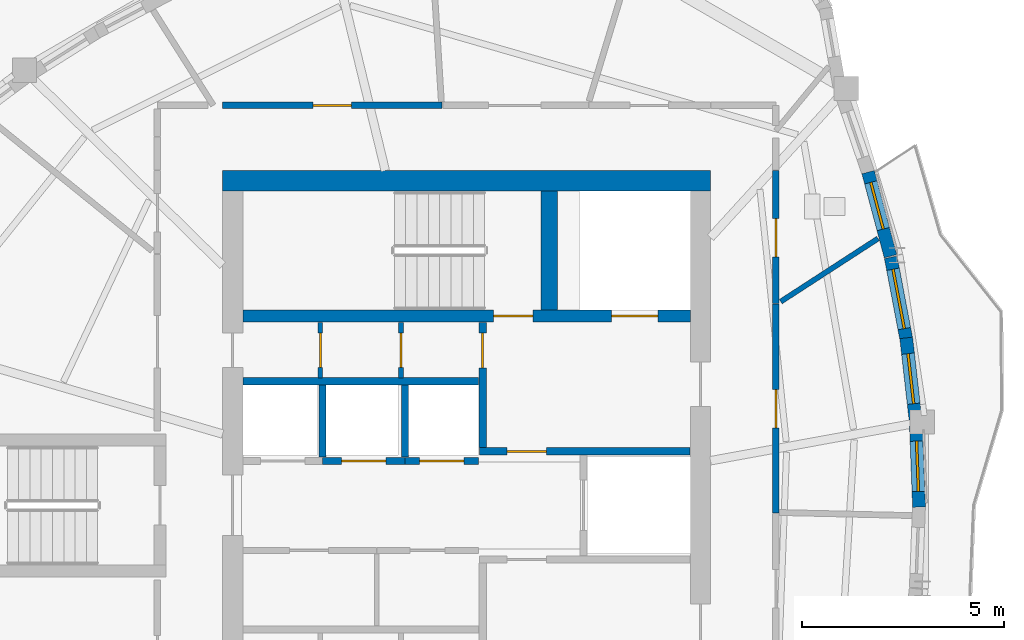
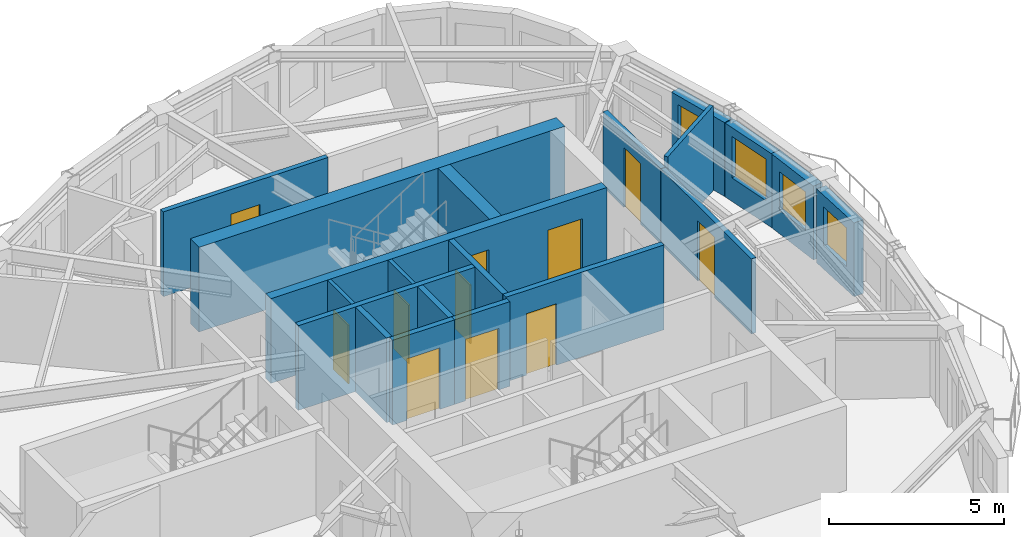
# One storey, part 6 of 11: 20 walls, 11 doors, 4 windows, 15 openings.
"""IFC4 building model written with IfcOpenShell, lengths in metres."""

import ifcopenshell
import ifcopenshell.guid

model = None  # the IFC model being written
_history = None  # IfcOwnerHistory: only IFC2X3 demands one
_inside = {}  # id of a spatial element -> (the spatial element, [elements in it])
_under = {}  # id of a project, library or spatial element -> (it, [spatial elements below it])
_declared = {}  # id of a project -> (the project, [libraries it declares])
_typed = {}  # id of a type object -> (the type object, [elements of that type])
_made_of = {}  # id of a material, layer set ... -> (it, [elements and type objects made of it])


def new_model(schema):
    """Start an empty IFC model of exactly this schema.

    Asked for "IFC4X3", IfcOpenShell would pick the latest addendum, in which some entities
    have other attributes; the version numbers below select the first issue.
    IFC2X3 requires an IfcOwnerHistory on every rooted entity: one is made here for all.
    """
    global model, _history
    if schema == "IFC4X3":
        model = ifcopenshell.file(schema_version=(4, 3, 0, 0))
    else:
        model = ifcopenshell.file(schema=schema)
    _inside.clear()
    _under.clear()
    _declared.clear()
    _typed.clear()
    _made_of.clear()
    _history = None
    if model.schema == "IFC2X3":
        org = make("IfcOrganization", Name="unknown")
        user = make(
            "IfcPersonAndOrganization",
            ThePerson=make("IfcPerson", FamilyName="unknown"),
            TheOrganization=org,
        )
        app = make(
            "IfcApplication",
            ApplicationDeveloper=org,
            Version="unknown",
            ApplicationFullName="unknown",
            ApplicationIdentifier="unknown",
        )
        _history = make(
            "IfcOwnerHistory",
            OwningUser=user,
            OwningApplication=app,
            ChangeAction="ADDED",
            CreationDate=0,
        )
    return model


def make(cls, **values):
    """One entity of the class cls with the attributes given. An attribute that is None is left unset."""
    return model.create_entity(
        cls, **{name: value for name, value in values.items() if value is not None}
    )


def rooted(cls, **values):
    """An entity with a GlobalId (a new one), such as an element, a storey or a relation."""
    return make(cls, GlobalId=ifcopenshell.guid.new(), OwnerHistory=_history, **values)


def si_unit(unit_type, name, prefix=None):
    """IfcSIUnit, for example si_unit("LENGTHUNIT", "METRE", prefix="MILLI")."""
    return make("IfcSIUnit", UnitType=unit_type, Prefix=prefix, Name=name)


def assignment(units):
    """IfcUnitAssignment: the units of a project."""
    return None if units is None else make("IfcUnitAssignment", Units=units)


def point(xyz):
    """IfcCartesianPoint."""
    return None if xyz is None else make("IfcCartesianPoint", Coordinates=xyz)


def direction(xyz):
    """IfcDirection."""
    return None if xyz is None else make("IfcDirection", DirectionRatios=xyz)


def frame(location, z_axis=None, x_axis=None):
    """IfcAxis2Placement3D, a coordinate frame: its origin and axes. An axis left out is left unset."""
    return make(
        "IfcAxis2Placement3D",
        Location=point(location),
        Axis=direction(z_axis),
        RefDirection=direction(x_axis),
    )


def frame_2d(location, x_axis=None):
    """IfcAxis2Placement2D, a coordinate frame in the plane: its origin and x axis."""
    return make(
        "IfcAxis2Placement2D", Location=point(location), RefDirection=direction(x_axis)
    )


def origin():
    """The frame at (0, 0, 0) with its axes left unset."""
    return frame((0.0, 0.0, 0.0))


def place(relative_to, where):
    """IfcLocalPlacement: puts the frame where relative to a parent placement (None: the world)."""
    return make(
        "IfcLocalPlacement", PlacementRelTo=relative_to, RelativePlacement=where
    )


def context(
    kind, dimensions, precision=None, world=None, true_north=None, identifier=None
):
    """IfcGeometricRepresentationContext, for example the 3D "Model" context."""
    return make(
        "IfcGeometricRepresentationContext",
        ContextIdentifier=identifier,
        ContextType=kind,
        CoordinateSpaceDimension=dimensions,
        Precision=precision,
        WorldCoordinateSystem=world,
        TrueNorth=true_north,
    )


def subcontext(parent, identifier, kind, view, scale=None):
    """IfcGeometricRepresentationSubContext, for example "Body" below "Model"."""
    return make(
        "IfcGeometricRepresentationSubContext",
        ContextIdentifier=identifier,
        ContextType=kind,
        ParentContext=parent,
        TargetScale=scale,
        TargetView=view,
    )


def project(units=None, contexts=None):
    """IfcProject with its units and contexts."""
    return rooted(
        "IfcProject",
        Name="project",
        RepresentationContexts=contexts,
        UnitsInContext=assignment(units),
    )


def spatial(cls, under=None, at=None, **own):
    """A site, building, storey or space (cls), placed at a placement, below another one or the project."""
    s = rooted(cls, ObjectPlacement=at, **own)
    if under is not None:
        _under.setdefault(under.id(), (under, []))[1].append(s)
    return s


def profile(cls, at=None, kind="AREA", **sizes):
    """A parametric profile (cls). Its sizes go by their IFC names, for example OverallWidth=200.0."""
    return make(cls, ProfileType=kind, Position=at, **sizes)


def rectangle(**sizes):
    """IfcRectangleProfileDef."""
    return profile("IfcRectangleProfileDef", **sizes)


def extrude(swept, where, along, depth):
    """IfcExtrudedAreaSolid: the profile swept, set in the frame where, extruded along a direction by depth."""
    return make(
        "IfcExtrudedAreaSolid",
        SweptArea=swept,
        Position=where,
        ExtrudedDirection=direction(along),
        Depth=depth,
    )


def shape(context_of_items, identifier, shape_type, items):
    """IfcShapeRepresentation: the items that make up one representation, for example the "Body"."""
    return make(
        "IfcShapeRepresentation",
        ContextOfItems=context_of_items,
        RepresentationIdentifier=identifier,
        RepresentationType=shape_type,
        Items=items,
    )


def source(mapping_origin, context_of_items, identifier, shape_type, items):
    """IfcRepresentationMap: a shape defined once, which mapped items show again and again."""
    return make(
        "IfcRepresentationMap",
        MappingOrigin=mapping_origin,
        MappedRepresentation=shape(context_of_items, identifier, shape_type, items),
    )


def transform(
    local_origin,
    x_axis=None,
    y_axis=None,
    z_axis=None,
    scale=None,
    scale2=None,
    scale3=None,
    uniform=True,
):
    """IfcCartesianTransformationOperator3D, or its non-uniform kind. x_axis, y_axis, z_axis: its Axis1, 2, 3."""
    if uniform:
        return make(
            "IfcCartesianTransformationOperator3D",
            Axis1=direction(x_axis),
            Axis2=direction(y_axis),
            LocalOrigin=point(local_origin),
            Scale=scale,
            Axis3=direction(z_axis),
        )
    return make(
        "IfcCartesianTransformationOperator3DnonUniform",
        Axis1=direction(x_axis),
        Axis2=direction(y_axis),
        LocalOrigin=point(local_origin),
        Scale=scale,
        Axis3=direction(z_axis),
        Scale2=scale2,
        Scale3=scale3,
    )


def mapped(mapping_source, mapping_target):
    """IfcMappedItem: shows the shape of a source again, moved by a transform."""
    return make(
        "IfcMappedItem", MappingSource=mapping_source, MappingTarget=mapping_target
    )


def material(Name=None, Category=None):
    """IfcMaterial."""
    return make("IfcMaterial", Name=Name, Category=Category)


def layer(
    of_material, thickness, ventilated=None, Name=None, Category=None, Priority=None
):
    """IfcMaterialLayer: one layer of a wall or slab, of a material (None: an air gap)."""
    return make(
        "IfcMaterialLayer",
        Material=of_material,
        LayerThickness=thickness,
        IsVentilated=ventilated,
        Name=Name,
        Category=Category,
        Priority=Priority,
    )


def layer_set(layers, Name=None):
    """IfcMaterialLayerSet."""
    return make("IfcMaterialLayerSet", MaterialLayers=layers, LayerSetName=Name)


def made_of(thing, what):
    """Note that an element or type object is made of a material, layer set ...; save() writes the relation."""
    if what is not None:
        _made_of.setdefault(what.id(), (what, []))[1].append(thing)
    return thing


def type_object(cls, material=None, **own):
    """A type object (cls), such as IfcWallType, which elements share."""
    return made_of(rooted(cls, **own), material)


def element(
    cls,
    number,
    at=None,
    inside=None,
    cuts=None,
    type_object=None,
    material=None,
    context=None,
    identifier="Body",
    shape_type=None,
    held_by="IfcProductDefinitionShape",
    body=None,
    shapes=None,
    **own,
):
    """One element of the class cls, such as IfcWall. Its Tag is "e" and its number.

    at: its placement. inside: the storey or other place that contains it. cuts: it is an
    opening in that element (IfcRelVoidsElement). A single representation is given by context,
    identifier, shape_type and body (its items); several are given by shapes. held_by: the class
    of the entity that holds the representations. save() writes the other relations.
    """
    e = rooted(cls, Tag="e%d" % number, ObjectPlacement=at, **own)
    if body is not None:
        shapes = [shape(context, identifier, shape_type, body)]
    if shapes is not None:
        e.Representation = make(held_by, Representations=shapes)
    if inside is not None:
        _inside.setdefault(inside.id(), (inside, []))[1].append(e)
    if cuts is not None:
        rooted(
            "IfcRelVoidsElement", RelatingBuildingElement=cuts, RelatedOpeningElement=e
        )
    if type_object is not None:
        _typed.setdefault(type_object.id(), (type_object, []))[1].append(e)
    return made_of(e, material)


def fill(opening, filler):
    """IfcRelFillsElement: the door or window that sits in an opening."""
    return rooted(
        "IfcRelFillsElement",
        RelatingOpeningElement=opening,
        RelatedBuildingElement=filler,
    )


def aggregate(whole, parts):
    """IfcRelAggregates: a whole, such as a stair, and the parts it consists of."""
    return rooted("IfcRelAggregates", RelatingObject=whole, RelatedObjects=parts)


def save(model, path):
    """Write the relations noted so far, then the file.

    IfcRelAggregates (storeys below a building ...), IfcRelContainedInSpatialStructure (elements
    in a storey), IfcRelDefinesByType, IfcRelAssociatesMaterial and IfcRelDeclares: one each for
    every whole, place, type object, material and project.
    """
    for whole, parts in _under.values():
        aggregate(whole, parts)
    for where, things in _inside.values():
        rooted(
            "IfcRelContainedInSpatialStructure",
            RelatedElements=things,
            RelatingStructure=where,
        )
    for kind, things in _typed.values():
        rooted("IfcRelDefinesByType", RelatedObjects=things, RelatingType=kind)
    for what, things in _made_of.values():
        rooted("IfcRelAssociatesMaterial", RelatedObjects=things, RelatingMaterial=what)
    for by, libraries in _declared.values():
        rooted("IfcRelDeclares", RelatingContext=by, RelatedDefinitions=libraries)
    model.write(path)


model = new_model("IFC4")

# Units and contexts
model_context = context("Model", 3, precision=1e-05, world=origin(), true_north=direction((0.0, 1.0)))
body_context = subcontext(model_context, "Body", "Model", "MODEL_VIEW")
ifc_project = project(units=[si_unit("LENGTHUNIT", "METRE"), si_unit("AREAUNIT", "SQUARE_METRE"), si_unit("VOLUMEUNIT", "CUBIC_METRE"), si_unit("PLANEANGLEUNIT", "RADIAN"), si_unit("MASSUNIT", "GRAM", prefix="KILO")], contexts=[model_context])

# Site, building, storey
site_placement = place(None, origin())
site = spatial("IfcSite", under=ifc_project, at=site_placement, CompositionType="ELEMENT")
building_placement = place(site_placement, origin())
building = spatial("IfcBuilding", under=site, at=building_placement, Name="Qafzar Sky-Pleat Residences", CompositionType="ELEMENT")
storey_placement = place(building_placement, frame((0.0, 0.0, 243.60009765625)))
storey = spatial("IfcBuildingStorey", under=building, at=storey_placement, Name="L73", CompositionType="ELEMENT", Elevation=243.60009765625)

# Wall, opening, door
ifc_material_1 = material(Name="Acoustic gypsum plasterboard partition", Category="gypsum")
ifc_layer_1 = layer(ifc_material_1, 0.159912109375)
ifc_layer_set_1 = layer_set([ifc_layer_1], Name="Acoustic gypsum plasterboard partition")
wall_type_1 = type_object("IfcWallType", Name="PART-COR-160", PredefinedType="PARTITIONING", material=ifc_layer_set_1)
wall_1_placement = place(storey_placement, frame((24.300048828125, 35.919921875, 0.0), z_axis=(0.0, 0.0, 1.0), x_axis=(1.0, 0.0, 0.0)))
wall_1 = element("IfcWall", 1, at=wall_1_placement, inside=storey, type_object=wall_type_1, Name="L73 Partition Wall PART-L73-PW-001", PredefinedType="PARTITIONING", context=body_context, shape_type="SweptSolid", body=[
    extrude(rectangle(XDim=5.446044921875, YDim=0.159912109375, at=frame_2d((2.72314453125, 0.0))), origin(), (0.0, 0.0, 1.0), 2.9599609375),
])
opening_1_placement = place(wall_1_placement, frame((2.235595703125, 0.0, 0.0)))
opening_1 = element("IfcOpeningElement", 2, at=opening_1_placement, cuts=wall_1, Name="Opening ID-06", PredefinedType="OPENING", context=body_context, shape_type="SweptSolid", body=[
    extrude(rectangle(XDim=0.9599609375, YDim=2.10009765625, at=frame_2d((0.47998046875, 1.050048828125))), frame((0.0, 0.08984375, 0.0), z_axis=(0.0, -1.0, 0.0), x_axis=(1.0, 0.0, 0.0)), (0.0, 0.0, 1.0), 0.179931640625),
])
ifc_material_2 = material(Name="Timber-faced fire door", Category="wood")
door_type_1 = type_object("IfcDoorType", Name="DR-STD-960", OperationType="NOTDEFINED", PredefinedType="DOOR", material=ifc_material_2)
shared_shape_1 = source(origin(), body_context, "Body", "SweptSolid", [
    extrude(rectangle(XDim=0.9599609375, YDim=2.10009765625, at=frame_2d((0.47998046875, 1.050048828125))), frame((0.0, 0.02490234375, 0.0), z_axis=(0.0, -1.0, 0.0), x_axis=(1.0, 0.0, 0.0)), (0.0, 0.0, 1.0), 0.050048828125),
])
door_1_placement = place(opening_1_placement, origin())
door_1 = element("IfcDoor", 3, at=door_1_placement, inside=storey, type_object=door_type_1, Name="L73 Scholar Co-Working Workspace Door", OperationType="SINGLE_SWING_RIGHT", OverallHeight=2.10009765625, OverallWidth=0.9599609375, PredefinedType="DOOR", context=body_context, shape_type="MappedRepresentation", body=[
    mapped(shared_shape_1, transform((0.0, 0.0, 0.0), x_axis=(1.0, 0.0, 0.0), y_axis=(0.0, 1.0, 0.0), z_axis=(0.0, 0.0, 1.0), scale=1.0)),
])
fill(opening_1, door_1)

wall_2_placement = place(storey_placement, frame((38.02001953125, 30.991943359375, 0.0), z_axis=(0.0, 0.0, 1.0), x_axis=(0.0, -1.0, 0.0)))
wall_2 = element("IfcWall", 4, at=wall_2_placement, inside=storey, type_object=wall_type_1, Name="L73 Partition Wall PART-L73-PW-002", PredefinedType="PARTITIONING", context=body_context, shape_type="SweptSolid", body=[
    extrude(rectangle(XDim=5.182861328125, YDim=0.159912109375, at=frame_2d((2.59130859375, 0.0))), origin(), (0.0, 0.0, 1.0), 2.6279296875),
])
opening_2_placement = place(wall_2_placement, frame((2.113037109375, 0.0, 0.0)))
opening_2 = element("IfcOpeningElement", 5, at=opening_2_placement, cuts=wall_2, Name="Opening ID-06", PredefinedType="OPENING", context=body_context, shape_type="SweptSolid", body=[
    extrude(rectangle(XDim=0.9599609375, YDim=2.10009765625, at=frame_2d((0.47998046875, 1.050048828125))), frame((0.0, 0.08984375, 0.0), z_axis=(0.0, -1.0, 0.0), x_axis=(1.0, 0.0, 0.0)), (0.0, 0.0, 1.0), 0.179931640625),
])
door_2_placement = place(opening_2_placement, origin())
door_2 = element("IfcDoor", 6, at=door_2_placement, inside=storey, type_object=door_type_1, Name="L73 Reading Library Door", OperationType="SINGLE_SWING_LEFT", OverallHeight=2.10009765625, OverallWidth=0.9599609375, PredefinedType="DOOR", context=body_context, shape_type="MappedRepresentation", body=[
    mapped(shared_shape_1, transform((0.0, 0.0, 0.0), x_axis=(1.0, 0.0, 0.0), y_axis=(0.0, 1.0, 0.0), z_axis=(0.0, 0.0, 1.0), scale=1.0)),
])
fill(opening_2, door_2)

wall_3_placement = place(storey_placement, frame((38.02001953125, 34.300048828125, 0.0), z_axis=(0.0, 0.0, 1.0), x_axis=(0.0, -1.0, 0.0)))
wall_3 = element("IfcWall", 7, at=wall_3_placement, inside=storey, type_object=wall_type_1, Name="L73 Partition Wall PART-L73-PW-007", PredefinedType="PARTITIONING", context=body_context, shape_type="SweptSolid", body=[
    extrude(rectangle(XDim=3.29296875, YDim=0.159912109375, at=frame_2d((1.646484375, 0.0))), origin(), (0.0, 0.0, 1.0), 2.6279296875),
])
opening_3_placement = place(wall_3_placement, frame((1.18798828125, 0.0, 0.0)))
opening_3 = element("IfcOpeningElement", 8, at=opening_3_placement, cuts=wall_3, Name="Opening ID-08", PredefinedType="OPENING", context=body_context, shape_type="SweptSolid", body=[
    extrude(rectangle(XDim=0.949951171875, YDim=2.10009765625, at=frame_2d((0.47509765625, 1.050048828125))), frame((0.0, 0.08984375, 0.0), z_axis=(0.0, -1.0, 0.0), x_axis=(1.0, 0.0, 0.0)), (0.0, 0.0, 1.0), 0.179931640625),
])
door_type_2 = type_object("IfcDoorType", Name="DR-AWC-950", OperationType="NOTDEFINED", PredefinedType="DOOR", material=ifc_material_2)
shared_shape_2 = source(origin(), body_context, "Body", "SweptSolid", [
    extrude(rectangle(XDim=0.949951171875, YDim=2.10009765625, at=frame_2d((0.47509765625, 1.050048828125))), frame((0.0, 0.02490234375, 0.0), z_axis=(0.0, -1.0, 0.0), x_axis=(1.0, 0.0, 0.0)), (0.0, 0.0, 1.0), 0.050048828125),
])
door_3_placement = place(opening_3_placement, origin())
door_3 = element("IfcDoor", 9, at=door_3_placement, inside=storey, type_object=door_type_2, Name="L73 Accessible Shared Washroom Door", OperationType="SINGLE_SWING_LEFT", OverallHeight=2.10009765625, OverallWidth=0.949951171875, PredefinedType="DOOR", context=body_context, shape_type="MappedRepresentation", body=[
    mapped(shared_shape_2, transform((0.0, 0.0, 0.0), x_axis=(1.0, 0.0, 0.0), y_axis=(0.0, 1.0, 0.0), z_axis=(0.0, 0.0, 1.0), scale=1.0)),
])
fill(opening_3, door_3)

ifc_material_3 = material(Name="Concrete blockwork partition", Category="masonry")
ifc_layer_2 = layer(ifc_material_3, 0.179931640625)
ifc_layer_set_2 = layer_set([ifc_layer_2], Name="Concrete blockwork partition")
wall_type_2 = type_object("IfcWallType", Name="PART-SHAFT-180", PredefinedType="PARTITIONING", material=ifc_layer_set_2)
wall_4_placement = place(storey_placement, frame((30.75, 27.429931640625, 0.0), z_axis=(0.0, 0.0, 1.0), x_axis=(0.0, 1.0, 0.0)))
wall_4 = element("IfcWall", 10, at=wall_4_placement, inside=storey, type_object=wall_type_2, Name="L73 Partition Wall PART-L73-FFL2-W", PredefinedType="PARTITIONING", context=body_context, shape_type="SweptSolid", body=[
    extrude(rectangle(XDim=3.110107421875, YDim=0.179931640625, at=frame_2d((1.55517578125, 0.0))), origin(), (0.0, 0.0, 1.0), 2.9599609375),
])
opening_4_placement = place(wall_4_placement, frame((1.97998046875, 0.0, 0.0)))
opening_4 = element("IfcOpeningElement", 11, at=opening_4_placement, cuts=wall_4, Name="Opening ID-09", PredefinedType="OPENING", context=body_context, shape_type="SweptSolid", body=[
    extrude(rectangle(XDim=0.860107421875, YDim=2.050048828125, at=frame_2d((0.43017578125, 1.02490234375))), frame((0.0, 0.10009765625, 0.0), z_axis=(0.0, -1.0, 0.0), x_axis=(1.0, 0.0, 0.0)), (0.0, 0.0, 1.0), 0.199951171875),
])
door_type_3 = type_object("IfcDoorType", Name="DR-SVC-860", OperationType="NOTDEFINED", PredefinedType="DOOR", material=ifc_material_2)
shared_shape_3 = source(origin(), body_context, "Body", "SweptSolid", [
    extrude(rectangle(XDim=0.860107421875, YDim=2.050048828125, at=frame_2d((0.43017578125, 1.02490234375))), frame((0.0, 0.02490234375, 0.0), z_axis=(0.0, -1.0, 0.0), x_axis=(1.0, 0.0, 0.0)), (0.0, 0.0, 1.0), 0.050048828125),
])
door_4_placement = place(opening_4_placement, origin())
door_4 = element("IfcDoor", 12, at=door_4_placement, inside=storey, type_object=door_type_3, Name="L73 North Core Cupboard Door", OperationType="SINGLE_SWING_RIGHT", OverallHeight=2.050048828125, OverallWidth=0.860107421875, PredefinedType="DOOR", context=body_context, shape_type="MappedRepresentation", body=[
    mapped(shared_shape_3, transform((0.0, 0.0, 0.0), x_axis=(1.0, 0.0, 0.0), y_axis=(0.0, 1.0, 0.0), z_axis=(0.0, 0.0, 1.0), scale=1.0)),
])
fill(opening_4, door_4)

wall_5_placement = place(storey_placement, frame((30.669921875, 27.340087890625, 0.0), z_axis=(0.0, 0.0, 1.0), x_axis=(1.0, 0.0, 0.0)))
wall_5 = element("IfcWall", 13, at=wall_5_placement, inside=storey, type_object=wall_type_2, Name="L73 Partition Wall PART-L73-FFL2-S", PredefinedType="PARTITIONING", context=body_context, shape_type="SweptSolid", body=[
    extrude(rectangle(XDim=5.219970703125, YDim=0.179931640625, at=frame_2d((2.60986328125, 0.0))), origin(), (0.0, 0.0, 1.0), 2.9599609375),
])
opening_5_placement = place(wall_5_placement, frame((0.679931640625, 0.0, 0.0)))
opening_5 = element("IfcOpeningElement", 14, at=opening_5_placement, cuts=wall_5, Name="Opening ID-01", PredefinedType="OPENING", context=body_context, shape_type="SweptSolid", body=[
    extrude(rectangle(XDim=0.97998046875, YDim=2.14990234375, at=frame_2d((0.489990234375, 1.074951171875))), frame((0.0, 0.10009765625, 0.0), z_axis=(0.0, -1.0, 0.0), x_axis=(1.0, 0.0, 0.0)), (0.0, 0.0, 1.0), 0.199951171875),
])
door_type_4 = type_object("IfcDoorType", Name="DR-STAIR-980", OperationType="NOTDEFINED", PredefinedType="DOOR", material=ifc_material_2)
shared_shape_4 = source(origin(), body_context, "Body", "SweptSolid", [
    extrude(rectangle(XDim=0.97998046875, YDim=2.14990234375, at=frame_2d((0.489990234375, 1.074951171875))), frame((0.0, 0.02490234375, 0.0), z_axis=(0.0, -1.0, 0.0), x_axis=(1.0, 0.0, 0.0)), (0.0, 0.0, 1.0), 0.050048828125),
])
door_5_placement = place(opening_5_placement, origin())
door_5 = element("IfcDoor", 15, at=door_5_placement, inside=storey, type_object=door_type_4, Name="L73 Lift Lobby to North Firefighting Lobby Door", OperationType="SINGLE_SWING_LEFT", OverallHeight=2.14990234375, OverallWidth=0.97998046875, PredefinedType="DOOR", context=body_context, shape_type="MappedRepresentation", body=[
    mapped(shared_shape_4, transform((0.0, 0.0, 0.0), x_axis=(1.0, 0.0, 0.0), y_axis=(0.0, 1.0, 0.0), z_axis=(0.0, 0.0, 1.0), scale=1.0)),
])
fill(opening_5, door_5)

# Wall
wall_6_placement = place(storey_placement, frame((24.81005859375, 29.080078125, 0.0), z_axis=(0.0, 0.0, 1.0), x_axis=(1.0, 0.0, 0.0)))
element("IfcWall", 16, at=wall_6_placement, inside=storey, type_object=wall_type_2, Name="L73 Partition Wall PART-L73-P46-N", PredefinedType="PARTITIONING", context=body_context, shape_type="SweptSolid", body=[
    extrude(rectangle(XDim=5.83984375, YDim=0.179931640625, at=frame_2d((2.919921875, 0.0))), origin(), (0.0, 0.0, 1.0), 2.9599609375),
])

# Wall, opening, door
wall_7_placement = place(storey_placement, frame((26.77490234375, 27.10009765625, 0.0), z_axis=(0.0, 0.0, 1.0), x_axis=(1.0, 0.0, 0.0)))
wall_7 = element("IfcWall", 17, at=wall_7_placement, inside=storey, type_object=wall_type_2, Name="L73 Partition Wall PART-L73-P5-S", PredefinedType="PARTITIONING", context=body_context, shape_type="SweptSolid", body=[
    extrude(rectangle(XDim=2.050048828125, YDim=0.179931640625, at=frame_2d((1.02490234375, 0.0))), origin(), (0.0, 0.0, 1.0), 2.9599609375),
])
opening_6_placement = place(wall_7_placement, frame((0.47509765625, 0.0, 0.0)))
opening_6 = element("IfcOpeningElement", 18, at=opening_6_placement, cuts=wall_7, Name="Opening LD-01", PredefinedType="OPENING", context=body_context, shape_type="SweptSolid", body=[
    extrude(rectangle(XDim=1.10009765625, YDim=2.14990234375, at=frame_2d((0.550048828125, 1.074951171875))), frame((0.0, 0.10009765625, 0.0), z_axis=(0.0, -1.0, 0.0), x_axis=(1.0, 0.0, 0.0)), (0.0, 0.0, 1.0), 0.199951171875),
])
ifc_material_4 = material(Name="Stainless steel sliding landing door", Category="steel")
door_type_5 = type_object("IfcDoorType", Name="DR-LIFT-P", OperationType="DOUBLE_DOOR_SLIDING", PredefinedType="DOOR", material=ifc_material_4)
shared_shape_5 = source(origin(), body_context, "Body", "SweptSolid", [
    extrude(rectangle(XDim=1.10009765625, YDim=2.14990234375, at=frame_2d((0.550048828125, 1.074951171875))), frame((0.0, 0.02490234375, 0.0), z_axis=(0.0, -1.0, 0.0), x_axis=(1.0, 0.0, 0.0)), (0.0, 0.0, 1.0), 0.050048828125),
])
door_6_placement = place(opening_6_placement, origin())
door_6 = element("IfcDoor", 19, at=door_6_placement, inside=storey, type_object=door_type_5, Name="L73 Passenger Lift P5 Landing Door", OperationType="DOUBLE_DOOR_SLIDING", OverallHeight=2.14990234375, OverallWidth=1.10009765625, PredefinedType="DOOR", context=body_context, shape_type="MappedRepresentation", body=[
    mapped(shared_shape_5, transform((0.0, 0.0, 0.0), x_axis=(1.0, 0.0, 0.0), y_axis=(0.0, 1.0, 0.0), z_axis=(0.0, 0.0, 1.0), scale=1.0)),
])
fill(opening_6, door_6)

# Wall
wall_8_placement = place(storey_placement, frame((26.77490234375, 27.199951171875, 0.0), z_axis=(0.0, 0.0, 1.0), x_axis=(0.0, 1.0, 0.0)))
element("IfcWall", 20, at=wall_8_placement, inside=storey, type_object=wall_type_2, Name="L73 Partition Wall PART-L73-P46-DIV-1", PredefinedType="PARTITIONING", context=body_context, shape_type="SweptSolid", body=[
    extrude(rectangle(XDim=1.780029296875, YDim=0.179931640625, at=frame_2d((0.89013671875, 0.0))), origin(), (0.0, 0.0, 1.0), 2.9599609375),
])

# Wall, opening, door
wall_9_placement = place(storey_placement, frame((28.824951171875, 27.10009765625, 0.0), z_axis=(0.0, 0.0, 1.0), x_axis=(1.0, 0.0, 0.0)))
wall_9 = element("IfcWall", 21, at=wall_9_placement, inside=storey, type_object=wall_type_2, Name="L73 Partition Wall PART-L73-P6-S", PredefinedType="PARTITIONING", context=body_context, shape_type="SweptSolid", body=[
    extrude(rectangle(XDim=1.824951171875, YDim=0.179931640625, at=frame_2d((0.91259765625, 0.0))), origin(), (0.0, 0.0, 1.0), 2.9599609375),
])
opening_7_placement = place(wall_9_placement, frame((0.362548828125, 0.0, 0.0)))
opening_7 = element("IfcOpeningElement", 22, at=opening_7_placement, cuts=wall_9, Name="Opening LD-01", PredefinedType="OPENING", context=body_context, shape_type="SweptSolid", body=[
    extrude(rectangle(XDim=1.10009765625, YDim=2.14990234375, at=frame_2d((0.550048828125, 1.074951171875))), frame((0.0, 0.10009765625, 0.0), z_axis=(0.0, -1.0, 0.0), x_axis=(1.0, 0.0, 0.0)), (0.0, 0.0, 1.0), 0.199951171875),
])
door_7_placement = place(opening_7_placement, origin())
door_7 = element("IfcDoor", 23, at=door_7_placement, inside=storey, type_object=door_type_5, Name="L73 Passenger Lift P6 Landing Door", OperationType="DOUBLE_DOOR_SLIDING", OverallHeight=2.14990234375, OverallWidth=1.10009765625, PredefinedType="DOOR", context=body_context, shape_type="MappedRepresentation", body=[
    mapped(shared_shape_5, transform((0.0, 0.0, 0.0), x_axis=(1.0, 0.0, 0.0), y_axis=(0.0, 1.0, 0.0), z_axis=(0.0, 0.0, 1.0), scale=1.0)),
])
fill(opening_7, door_7)

# Wall
wall_10_placement = place(storey_placement, frame((28.824951171875, 27.199951171875, 0.0), z_axis=(0.0, 0.0, 1.0), x_axis=(0.0, 1.0, 0.0)))
element("IfcWall", 24, at=wall_10_placement, inside=storey, type_object=wall_type_2, Name="L73 Partition Wall PART-L73-P46-DIV-2", PredefinedType="PARTITIONING", context=body_context, shape_type="SweptSolid", body=[
    extrude(rectangle(XDim=1.780029296875, YDim=0.179931640625, at=frame_2d((0.89013671875, 0.0))), origin(), (0.0, 0.0, 1.0), 2.9599609375),
])

# Wall, opening, door
ifc_material_5 = material(Name="Gypsum plasterboard partition", Category="gypsum")
ifc_layer_3 = layer(ifc_material_5, 0.114990234375)
ifc_layer_set_3 = layer_set([ifc_layer_3], Name="Gypsum plasterboard partition")
wall_type_3 = type_object("IfcWallType", Name="PART-SVC-115", PredefinedType="PARTITIONING", material=ifc_layer_set_3)
wall_11_placement = place(storey_placement, frame((26.72509765625, 29.159912109375, 0.0), z_axis=(0.0, 0.0, 1.0), x_axis=(0.0, 1.0, 0.0)))
wall_11 = element("IfcWall", 25, at=wall_11_placement, inside=storey, type_object=wall_type_3, Name="L73 Partition Wall PART-L73-KC-NW-1", PredefinedType="PARTITIONING", context=body_context, shape_type="SweptSolid", body=[
    extrude(rectangle(XDim=1.380126953125, YDim=0.114990234375, at=frame_2d((0.68994140625, 0.0))), origin(), (0.0, 0.0, 1.0), 2.9599609375),
])
opening_8_placement = place(wall_11_placement, frame((0.260009765625, 0.0, 0.0)))
opening_8 = element("IfcOpeningElement", 26, at=opening_8_placement, cuts=wall_11, Name="Opening ID-09", PredefinedType="OPENING", context=body_context, shape_type="SweptSolid", body=[
    extrude(rectangle(XDim=0.860107421875, YDim=2.050048828125, at=frame_2d((0.43017578125, 1.02490234375))), frame((0.0, 0.0673828125, 0.0), z_axis=(0.0, -1.0, 0.0), x_axis=(1.0, 0.0, 0.0)), (0.0, 0.0, 1.0), 0.135009765625),
])
door_8_placement = place(opening_8_placement, origin())
door_8 = element("IfcDoor", 27, at=door_8_placement, inside=storey, type_object=door_type_3, Name="L73 Core North Cupboard 1 Door", OperationType="SINGLE_SWING_LEFT", OverallHeight=2.050048828125, OverallWidth=0.860107421875, PredefinedType="DOOR", context=body_context, shape_type="MappedRepresentation", body=[
    mapped(shared_shape_3, transform((0.0, 0.0, 0.0), x_axis=(1.0, 0.0, 0.0), y_axis=(0.0, 1.0, 0.0), z_axis=(0.0, 0.0, 1.0), scale=1.0)),
])
fill(opening_8, door_8)

wall_12_placement = place(storey_placement, frame((28.72509765625, 29.159912109375, 0.0), z_axis=(0.0, 0.0, 1.0), x_axis=(0.0, 1.0, 0.0)))
wall_12 = element("IfcWall", 28, at=wall_12_placement, inside=storey, type_object=wall_type_3, Name="L73 Partition Wall PART-L73-KC-NW-2", PredefinedType="PARTITIONING", context=body_context, shape_type="SweptSolid", body=[
    extrude(rectangle(XDim=1.380126953125, YDim=0.114990234375, at=frame_2d((0.68994140625, 0.0))), origin(), (0.0, 0.0, 1.0), 2.9599609375),
])
opening_9_placement = place(wall_12_placement, frame((0.260009765625, 0.0, 0.0)))
opening_9 = element("IfcOpeningElement", 29, at=opening_9_placement, cuts=wall_12, Name="Opening ID-09", PredefinedType="OPENING", context=body_context, shape_type="SweptSolid", body=[
    extrude(rectangle(XDim=0.860107421875, YDim=2.050048828125, at=frame_2d((0.43017578125, 1.02490234375))), frame((0.0, 0.0673828125, 0.0), z_axis=(0.0, -1.0, 0.0), x_axis=(1.0, 0.0, 0.0)), (0.0, 0.0, 1.0), 0.135009765625),
])
door_9_placement = place(opening_9_placement, origin())
door_9 = element("IfcDoor", 30, at=door_9_placement, inside=storey, type_object=door_type_3, Name="L73 Core North Cupboard 2 Door", OperationType="SINGLE_SWING_LEFT", OverallHeight=2.050048828125, OverallWidth=0.860107421875, PredefinedType="DOOR", context=body_context, shape_type="MappedRepresentation", body=[
    mapped(shared_shape_3, transform((0.0, 0.0, 0.0), x_axis=(1.0, 0.0, 0.0), y_axis=(0.0, 1.0, 0.0), z_axis=(0.0, 0.0, 1.0), scale=1.0)),
])
fill(opening_9, door_9)

# Wall
ifc_material_6 = material(Name="Moisture-resistant gypsum partition", Category="gypsum")
ifc_layer_4 = layer(ifc_material_6, 0.1298828125)
ifc_layer_set_4 = layer_set([ifc_layer_4], Name="Moisture-resistant gypsum partition")
wall_type_4 = type_object("IfcWallType", Name="PART-WET-130", PredefinedType="PARTITIONING", material=ifc_layer_set_4)
wall_13_placement = place(storey_placement, frame((38.14208984375, 31.05322265625, 0.0), z_axis=(0.0, 0.0, 1.0), x_axis=(0.839000059055, 0.544131326892, 0.0)))
element("IfcWall", 31, at=wall_13_placement, inside=storey, type_object=wall_type_4, Name="L73 Partition Wall PART-L73-PW-019", PredefinedType="PARTITIONING", context=body_context, shape_type="SweptSolid", body=[
    extrude(rectangle(XDim=2.874755859375, YDim=0.1298828125, at=frame_2d((1.4375, 0.0))), origin(), (0.0, 0.0, 1.0), 2.9599609375),
])

# Wall, opening, window
ifc_material_7 = material(Name="Precast concrete C40/50 with honed Riyadh limestone", Category="concrete")
ifc_layer_5 = layer(ifc_material_7, 0.320068359375)
ifc_layer_set_5 = layer_set([ifc_layer_5], Name="Precast concrete C40/50 with honed Riyadh limestone")
wall_type_5 = type_object("IfcWallType", Name="WALL-EXT-320", PredefinedType="SOLIDWALL", material=ifc_layer_set_5)
wall_14_placement = place(storey_placement, frame((41.572998046875, 25.9560546875, 0.0), z_axis=(0.0, 0.0, 1.0), x_axis=(-0.038014663796, 0.999277181435, 0.0)))
wall_14 = element("IfcWall", 32, at=wall_14_placement, inside=storey, type_object=wall_type_5, Name="L73 Limestone Facade Wall 28", PredefinedType="SOLIDWALL", context=body_context, shape_type="SweptSolid", body=[
    extrude(rectangle(XDim=2.0166015625, YDim=0.320068359375, at=frame_2d((1.00830078125, 0.0))), origin(), (0.0, 0.0, 1.0), 2.579833984375),
])
opening_10_placement = place(wall_14_placement, frame((0.38818359375, 0.0, 0.820068359375)))
opening_10 = element("IfcOpeningElement", 33, at=opening_10_placement, cuts=wall_14, Name="Opening WN-11", PredefinedType="OPENING", context=body_context, shape_type="SweptSolid", body=[
    extrude(rectangle(XDim=1.25, YDim=1.35009765625, at=frame_2d((0.625, 0.675048828125))), frame((0.0, 0.169921875, 0.0), z_axis=(0.0, -1.0, 0.0), x_axis=(1.0, 0.0, 0.0)), (0.0, 0.0, 1.0), 0.340087890625),
])
ifc_material_8 = material(Name="Solar-control low-E glass in bronze aluminium frame", Category="glass")
window_type_1 = type_object("IfcWindowType", Name="WIN-11", PartitioningType="SINGLE_PANEL", PredefinedType="WINDOW", material=ifc_material_8)
shared_shape_6 = source(origin(), body_context, "Body", "SweptSolid", [
    extrude(rectangle(XDim=1.25, YDim=1.35009765625, at=frame_2d((0.625, 0.675048828125))), frame((0.0, 0.030029296875, 0.0), z_axis=(0.0, -1.0, 0.0), x_axis=(1.0, 0.0, 0.0)), (0.0, 0.0, 1.0), 0.06005859375),
])
window_1_placement = place(opening_10_placement, origin())
window_1 = element("IfcWindow", 34, at=window_1_placement, inside=storey, type_object=window_type_1, Name="L73 Punched Facade Window 28", OverallHeight=1.35009765625, OverallWidth=1.25, PartitioningType="SINGLE_PANEL", PredefinedType="WINDOW", context=body_context, shape_type="MappedRepresentation", body=[
    mapped(shared_shape_6, transform((0.0, 0.0, 0.0), x_axis=(1.0, 0.0, 0.0), y_axis=(0.0, 1.0, 0.0), z_axis=(0.0, 0.0, 1.0), scale=1.0)),
])
fill(opening_10, window_1)

wall_15_placement = place(storey_placement, frame((41.483642578125, 28.138427734375, 0.0), z_axis=(0.0, 0.0, 1.0), x_axis=(-0.113244511591, 0.993567149515, 0.0)))
wall_15 = element("IfcWall", 35, at=wall_15_placement, inside=storey, type_object=wall_type_5, Name="L73 Limestone Facade Wall 29", PredefinedType="SOLIDWALL", context=body_context, shape_type="SweptSolid", body=[
    extrude(rectangle(XDim=2.028564453125, YDim=0.320068359375, at=frame_2d((1.01416015625, 0.0))), origin(), (0.0, 0.0, 1.0), 2.579833984375),
])
opening_11_placement = place(wall_15_placement, frame((0.38427734375, 0.0, 0.820068359375)))
opening_11 = element("IfcOpeningElement", 36, at=opening_11_placement, cuts=wall_15, Name="Opening WN-11", PredefinedType="OPENING", context=body_context, shape_type="SweptSolid", body=[
    extrude(rectangle(XDim=1.25, YDim=1.35009765625, at=frame_2d((0.625, 0.675048828125))), frame((0.0, 0.169921875, 0.0), z_axis=(0.0, -1.0, 0.0), x_axis=(1.0, 0.0, 0.0)), (0.0, 0.0, 1.0), 0.340087890625),
])
window_2_placement = place(opening_11_placement, origin())
window_2 = element("IfcWindow", 37, at=window_2_placement, inside=storey, type_object=window_type_1, Name="L73 Punched Facade Window 29", OverallHeight=1.35009765625, OverallWidth=1.25, PartitioningType="SINGLE_PANEL", PredefinedType="WINDOW", context=body_context, shape_type="MappedRepresentation", body=[
    mapped(shared_shape_6, transform((0.0, 0.0, 0.0), x_axis=(1.0, 0.0, 0.0), y_axis=(0.0, 1.0, 0.0), z_axis=(0.0, 0.0, 1.0), scale=1.0)),
])
fill(opening_11, window_2)

wall_16_placement = place(storey_placement, frame((41.26708984375, 30.067138671875, 0.0), z_axis=(0.0, 0.0, 1.0), x_axis=(-0.186705057177, 0.982416012504, 0.0)))
wall_16 = element("IfcWall", 38, at=wall_16_placement, inside=storey, type_object=wall_type_5, Name="L73 Limestone Facade Wall 30", PredefinedType="SOLIDWALL", context=body_context, shape_type="SweptSolid", body=[
    extrude(rectangle(XDim=2.122314453125, YDim=0.320068359375, at=frame_2d((1.06103515625, 0.0))), origin(), (0.0, 0.0, 1.0), 2.579833984375),
])
opening_12_placement = place(wall_16_placement, frame((0.321044921875, 0.0, 0.820068359375)))
opening_12 = element("IfcOpeningElement", 39, at=opening_12_placement, cuts=wall_16, Name="Opening WN-03", PredefinedType="OPENING", context=body_context, shape_type="SweptSolid", body=[
    extrude(rectangle(XDim=1.5, YDim=1.449951171875, at=frame_2d((0.75, 0.72509765625))), frame((0.0, 0.169921875, 0.0), z_axis=(0.0, -1.0, 0.0), x_axis=(1.0, 0.0, 0.0)), (0.0, 0.0, 1.0), 0.340087890625),
])
window_type_2 = type_object("IfcWindowType", Name="WIN-03", PartitioningType="DOUBLE_PANEL_VERTICAL", PredefinedType="WINDOW", material=ifc_material_8)
shared_shape_7 = source(origin(), body_context, "Body", "SweptSolid", [
    extrude(rectangle(XDim=1.5, YDim=1.449951171875, at=frame_2d((0.75, 0.72509765625))), frame((0.0, 0.030029296875, 0.0), z_axis=(0.0, -1.0, 0.0), x_axis=(1.0, 0.0, 0.0)), (0.0, 0.0, 1.0), 0.06005859375),
])
window_3_placement = place(opening_12_placement, origin())
window_3 = element("IfcWindow", 40, at=window_3_placement, inside=storey, type_object=window_type_2, Name="L73 Punched Facade Window 30", OverallHeight=1.449951171875, OverallWidth=1.5, PartitioningType="SINGLE_PANEL", PredefinedType="WINDOW", context=body_context, shape_type="MappedRepresentation", body=[
    mapped(shared_shape_7, transform((0.0, 0.0, 0.0), x_axis=(1.0, 0.0, 0.0), y_axis=(0.0, 1.0, 0.0), z_axis=(0.0, 0.0, 1.0), scale=1.0)),
])
fill(opening_12, window_3)

wall_17_placement = place(storey_placement, frame((40.864501953125, 32.1796875, 0.0), z_axis=(0.0, 0.0, 1.0), x_axis=(-0.257021579051, 0.966405664254, 0.0)))
wall_17 = element("IfcWall", 41, at=wall_17_placement, inside=storey, type_object=wall_type_5, Name="L73 Limestone Facade Wall 31", PredefinedType="SOLIDWALL", context=body_context, shape_type="SweptSolid", body=[
    extrude(rectangle(XDim=2.1572265625, YDim=0.320068359375, at=frame_2d((1.07861328125, 0.0))), origin(), (0.0, 0.0, 1.0), 2.579833984375),
])
opening_13_placement = place(wall_17_placement, frame((0.696044921875, 0.0, 0.820068359375)))
opening_13 = element("IfcOpeningElement", 42, at=opening_13_placement, cuts=wall_17, Name="Opening WN-05", PredefinedType="OPENING", context=body_context, shape_type="SweptSolid", body=[
    extrude(rectangle(XDim=1.199951171875, YDim=1.449951171875, at=frame_2d((0.60009765625, 0.72509765625))), frame((0.0, 0.169921875, 0.0), z_axis=(0.0, -1.0, 0.0), x_axis=(1.0, 0.0, 0.0)), (0.0, 0.0, 1.0), 0.340087890625),
])
window_type_3 = type_object("IfcWindowType", Name="WIN-05", PartitioningType="SINGLE_PANEL", PredefinedType="WINDOW", material=ifc_material_8)
shared_shape_8 = source(origin(), body_context, "Body", "SweptSolid", [
    extrude(rectangle(XDim=1.199951171875, YDim=1.449951171875, at=frame_2d((0.60009765625, 0.72509765625))), frame((0.0, 0.030029296875, 0.0), z_axis=(0.0, -1.0, 0.0), x_axis=(1.0, 0.0, 0.0)), (0.0, 0.0, 1.0), 0.06005859375),
])
window_4_placement = place(opening_13_placement, origin())
window_4 = element("IfcWindow", 43, at=window_4_placement, inside=storey, type_object=window_type_3, Name="L73 Punched Facade Window 31-2", OverallHeight=1.449951171875, OverallWidth=1.199951171875, PartitioningType="SINGLE_PANEL", PredefinedType="WINDOW", context=body_context, shape_type="MappedRepresentation", body=[
    mapped(shared_shape_8, transform((0.0, 0.0, 0.0), x_axis=(1.0, 0.0, 0.0), y_axis=(0.0, 1.0, 0.0), z_axis=(0.0, 0.0, 1.0), scale=1.0)),
])
fill(opening_13, window_4)

# Wall, openings, doors
ifc_material_9 = material(Name="Concrete C60/75", Category="concrete")
ifc_layer_6 = layer(ifc_material_9, 0.300048828125)
ifc_layer_set_6 = layer_set([ifc_layer_6], Name="Concrete C60/75")
wall_type_6 = type_object("IfcWallType", Name="WALL-SHEAR-300", PredefinedType="SHEAR", material=ifc_layer_set_6)
wall_18_placement = place(storey_placement, frame((24.800048828125, 30.699951171875, 0.0), z_axis=(0.0, 0.0, 1.0), x_axis=(1.0, 0.0, 0.0)))
wall_18 = element("IfcWall", 44, at=wall_18_placement, inside=storey, type_object=wall_type_6, Name="L73 Stair ST2 and FF2 Shaft South Wall", PredefinedType="SHEAR", context=body_context, shape_type="SweptSolid", body=[
    extrude(rectangle(XDim=11.099853515625, YDim=0.300048828125, at=frame_2d((5.5498046875, 0.0))), origin(), (0.0, 0.0, 1.0), 2.9599609375),
])
opening_14_placement = place(wall_18_placement, frame((6.219970703125, 0.0, 0.0)))
opening_14 = element("IfcOpeningElement", 45, at=opening_14_placement, cuts=wall_18, Name="Opening ID-01", PredefinedType="OPENING", context=body_context, shape_type="SweptSolid", body=[
    extrude(rectangle(XDim=0.97998046875, YDim=2.14990234375, at=frame_2d((0.489990234375, 1.074951171875))), frame((0.0, 0.16015625, 0.0), z_axis=(0.0, -1.0, 0.0), x_axis=(1.0, 0.0, 0.0)), (0.0, 0.0, 1.0), 0.320068359375),
])
opening_15_placement = place(wall_18_placement, frame((9.14990234375, 0.0, 0.0)))
opening_15 = element("IfcOpeningElement", 46, at=opening_15_placement, cuts=wall_18, Name="Opening LD-02", PredefinedType="OPENING", context=body_context, shape_type="SweptSolid", body=[
    extrude(rectangle(XDim=1.14990234375, YDim=2.14990234375, at=frame_2d((0.574951171875, 1.074951171875))), frame((0.0, 0.16015625, 0.0), z_axis=(0.0, -1.0, 0.0), x_axis=(1.0, 0.0, 0.0)), (0.0, 0.0, 1.0), 0.320068359375),
])
door_10_placement = place(opening_14_placement, origin())
door_10 = element("IfcDoor", 47, at=door_10_placement, inside=storey, type_object=door_type_4, Name="L73 Stair ST2 Fire Door", OperationType="SINGLE_SWING_RIGHT", OverallHeight=2.14990234375, OverallWidth=0.97998046875, PredefinedType="DOOR", context=body_context, shape_type="MappedRepresentation", body=[
    mapped(shared_shape_4, transform((0.0, 0.0, 0.0), x_axis=(1.0, 0.0, 0.0), y_axis=(0.0, 1.0, 0.0), z_axis=(0.0, 0.0, 1.0), scale=1.0)),
])
fill(opening_14, door_10)
door_type_6 = type_object("IfcDoorType", Name="DR-LIFT-FF", OperationType="DOUBLE_DOOR_SLIDING", PredefinedType="DOOR", material=ifc_material_4)
shared_shape_9 = source(origin(), body_context, "Body", "SweptSolid", [
    extrude(rectangle(XDim=1.14990234375, YDim=2.14990234375, at=frame_2d((0.574951171875, 1.074951171875))), frame((0.0, 0.02490234375, 0.0), z_axis=(0.0, -1.0, 0.0), x_axis=(1.0, 0.0, 0.0)), (0.0, 0.0, 1.0), 0.050048828125),
])
door_11_placement = place(opening_15_placement, origin())
door_11 = element("IfcDoor", 48, at=door_11_placement, inside=storey, type_object=door_type_6, Name="L73 Firefighting Lift FF2 Landing Door", OperationType="DOUBLE_DOOR_SLIDING", OverallHeight=2.14990234375, OverallWidth=1.14990234375, PredefinedType="DOOR", context=body_context, shape_type="MappedRepresentation", body=[
    mapped(shared_shape_9, transform((0.0, 0.0, 0.0), x_axis=(1.0, 0.0, 0.0), y_axis=(0.0, 1.0, 0.0), z_axis=(0.0, 0.0, 1.0), scale=1.0)),
])
fill(opening_15, door_11)

# Walls
ifc_layer_7 = layer(ifc_material_9, 0.39990234375)
ifc_layer_set_7 = layer_set([ifc_layer_7], Name="Concrete C60/75")
wall_type_7 = type_object("IfcWallType", Name="WALL-SHEAR-400", PredefinedType="SHEAR", material=ifc_layer_set_7)
wall_19_placement = place(storey_placement, frame((32.39990234375, 30.85009765625, 0.0), z_axis=(0.0, 0.0, 1.0), x_axis=(0.0, 1.0, 0.0)))
element("IfcWall", 49, at=wall_19_placement, inside=storey, type_object=wall_type_7, Name="L73 Stair ST2 East Dividing Wall", PredefinedType="SHEAR", context=body_context, shape_type="SweptSolid", body=[
    extrude(rectangle(XDim=2.949951171875, YDim=0.39990234375, at=frame_2d((1.47509765625, 0.0))), origin(), (0.0, 0.0, 1.0), 2.9599609375),
])
ifc_layer_8 = layer(ifc_material_9, 0.5)
ifc_layer_set_8 = layer_set([ifc_layer_8], Name="Concrete C60/75")
wall_type_8 = type_object("IfcWallType", Name="WALL-SHEAR-500", PredefinedType="SHEAR", material=ifc_layer_set_8)
wall_20_placement = place(storey_placement, frame((36.39990234375, 34.050048828125, 0.0), z_axis=(0.0, 0.0, 1.0), x_axis=(-1.0, 0.0, 0.0)))
element("IfcWall", 50, at=wall_20_placement, inside=storey, type_object=wall_type_8, Name="L73 CORE wall N", PredefinedType="SHEAR", context=body_context, shape_type="SweptSolid", body=[
    extrude(rectangle(XDim=12.099853515625, YDim=0.5, at=frame_2d((6.0498046875, 0.0))), origin(), (0.0, 0.0, 1.0), 2.9599609375),
])

save(model, "model.ifc")
